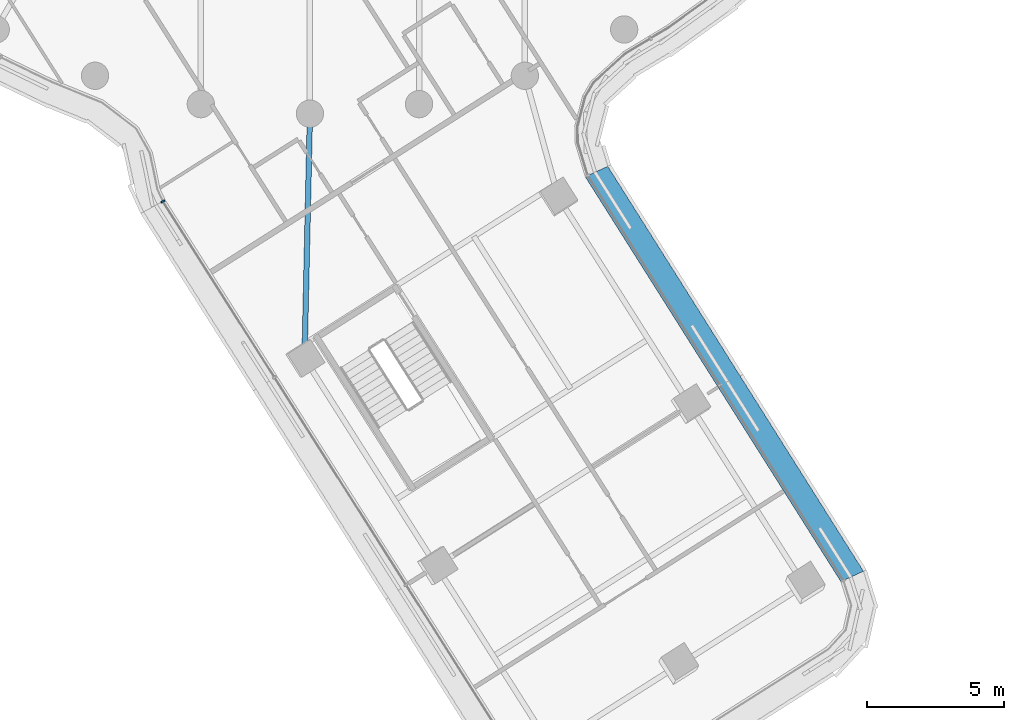
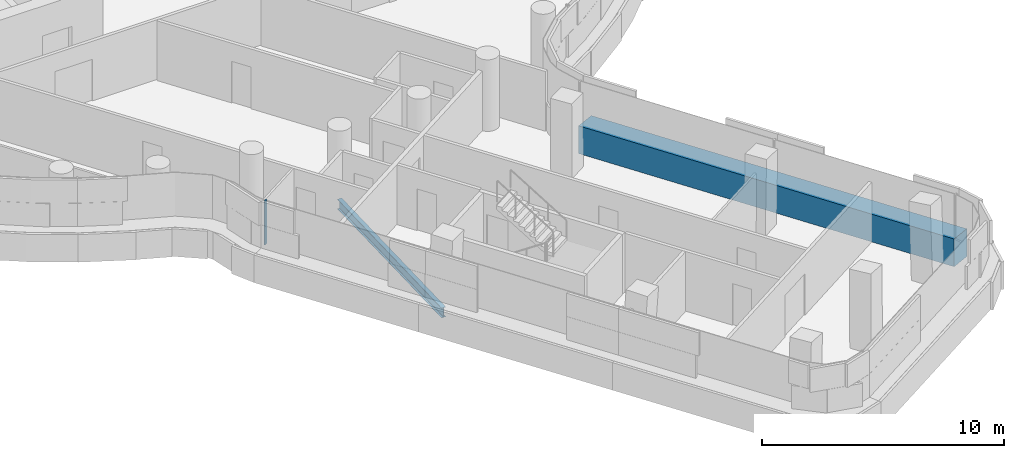
# One storey, part 5 of 36: 2 members, 1 beam, 2 elements without a shape of their own.
"""IFC4 building model written with IfcOpenShell, lengths in metres."""

from ifc_helpers import new_model, si_unit, direction, frame, origin, origin_2d, place, context, subcontext, project, spatial, polyline, rectangle, i_section, outline, extrude, material, layer, layer_set, material_profile, profile_set, type_object, element, aggregate, save


model = new_model("IFC4")

# Units and contexts
model_context = context("Model", 3, precision=1e-05, world=origin(), true_north=direction((0.0, 1.0)))
body_context = subcontext(model_context, "Body", "Model", "MODEL_VIEW")
ifc_project = project(units=[si_unit("LENGTHUNIT", "METRE"), si_unit("AREAUNIT", "SQUARE_METRE"), si_unit("VOLUMEUNIT", "CUBIC_METRE"), si_unit("PLANEANGLEUNIT", "RADIAN"), si_unit("MASSUNIT", "GRAM", prefix="KILO")], contexts=[model_context])

# Site, building, storey
site_placement = place(None, origin())
site = spatial("IfcSite", under=ifc_project, at=site_placement, CompositionType="ELEMENT")
building_placement = place(site_placement, origin())
building = spatial("IfcBuilding", under=site, at=building_placement, Name="Tamarind Cross Interchange Tower", CompositionType="ELEMENT")
storey_placement = place(building_placement, frame((0.0, 0.0, 151.75)))
storey = spatial("IfcBuildingStorey", under=building, at=storey_placement, Name="L37", CompositionType="ELEMENT", Elevation=151.75)

# Beam
ifc_material_1 = material(Name="Steel Q355B", Category="steel")
ifc_material_profile_1 = material_profile(ifc_material_1, i_section(OverallWidth=0.198974609375, OverallDepth=0.49609375, WebThickness=0.009033203125, FlangeThickness=0.013916015625, FilletRadius=0.012939453125, at=origin_2d()), Name="HN 496x199x9x14")
ifc_profile_set_1 = profile_set([ifc_material_profile_1], Name="Steel Q355B")
beam_type = type_object("IfcBeamType", Name="Composite beam HN 496x199x9x14 Q355B", PredefinedType="BEAM", material=ifc_profile_set_1)
beam_placement = place(storey_placement, frame((-0.198486328125, -31.954833984375, -0.387939453125), z_axis=(0.022159828796, 0.999754440844, 0.0), x_axis=(-0.999754440844, 0.022159828796, 0.0)))
element("IfcBeam", 1, at=beam_placement, inside=storey, type_object=beam_type, Name="Beam S-linkem", PredefinedType="BEAM", context=body_context, shape_type="SweptSolid", body=[
    extrude(i_section(OverallWidth=0.198974609375, OverallDepth=0.49609375, WebThickness=0.009033203125, FlangeThickness=0.013916015625, FilletRadius=0.012939453125, at=origin_2d()), origin(), (0.0, 0.0, 1.0), 8.95703125),
])

# Curtain wall, member
ifc_material_2 = material(Name="Aluminium 6063-T6", Category="aluminium")
ifc_layer = layer(ifc_material_2, 0.159912109375)
ifc_layer_set = layer_set([ifc_layer], Name="Aluminium 6063-T6")
curtain_wall_type = type_object("IfcCurtainWallType", Name="Office curtain wall, 9.0 m bays", PredefinedType="NOTDEFINED", material=ifc_layer_set)
curtain_wall_1_placement = place(storey_placement, origin())
curtain_wall_1 = element("IfcCurtainWall", 2, at=curtain_wall_1_placement, inside=storey, type_object=curtain_wall_type, Name="CWS-L37-09", PredefinedType="NOTDEFINED")
ifc_material_3 = material(Name="Aluminium and insulated spandrel panel", Category="aluminium")
member_type_1 = type_object("IfcMemberType", Name="Floor-edge blade transom", PredefinedType="USERDEFINED", material=ifc_material_3)
member_1_placement = place(storey_placement, origin())
member_1 = element("IfcMember", 3, at=member_1_placement, type_object=member_type_1, Name="CWT-L37-09", ObjectType="TRANSOM", PredefinedType="USERDEFINED", context=body_context, shape_type="SweptSolid", body=[
    extrude(outline(polyline([(19.43505859375, -40.1298828125), (10.07470703125, -25.30517578125), (10.9013671875, -24.928466796875), (20.2587890625, -39.74853515625), (19.43505859375, -40.1298828125)])), origin(), (0.0, 0.0, 1.0), 1.39990234375),
])
aggregate(curtain_wall_1, [member_1])

curtain_wall_2_placement = place(storey_placement, origin())
curtain_wall_2 = element("IfcCurtainWall", 4, at=curtain_wall_2_placement, inside=storey, type_object=curtain_wall_type, Name="CWS-L37-07", PredefinedType="NOTDEFINED")
ifc_material_profile_2 = material_profile(ifc_material_2, rectangle(XDim=0.06005859375, YDim=0.159912109375, at=origin_2d()), Name="Mullion CW1")
ifc_profile_set_2 = profile_set([ifc_material_profile_2], Name="Aluminium 6063-T6")
member_type_2 = type_object("IfcMemberType", Name="Mullion CW1", PredefinedType="MULLION", material=ifc_profile_set_2)
member_2_placement = place(storey_placement, frame((-5.382568359375, -26.20947265625, 1.39990234375), z_axis=(0.0, 0.0, 1.0), x_axis=(0.479286307451, -0.877658609877, 0.0)))
member_2 = element("IfcMember", 5, at=member_2_placement, type_object=member_type_2, Name="CWM-L37-07-00", PredefinedType="MULLION", context=body_context, shape_type="SweptSolid", body=[
    extrude(rectangle(XDim=0.06005859375, YDim=0.159912109375, at=origin_2d()), origin(), (0.0, 0.0, 1.0), 2.210205078125),
])
aggregate(curtain_wall_2, [member_2])

save(model, "model.ifc")
